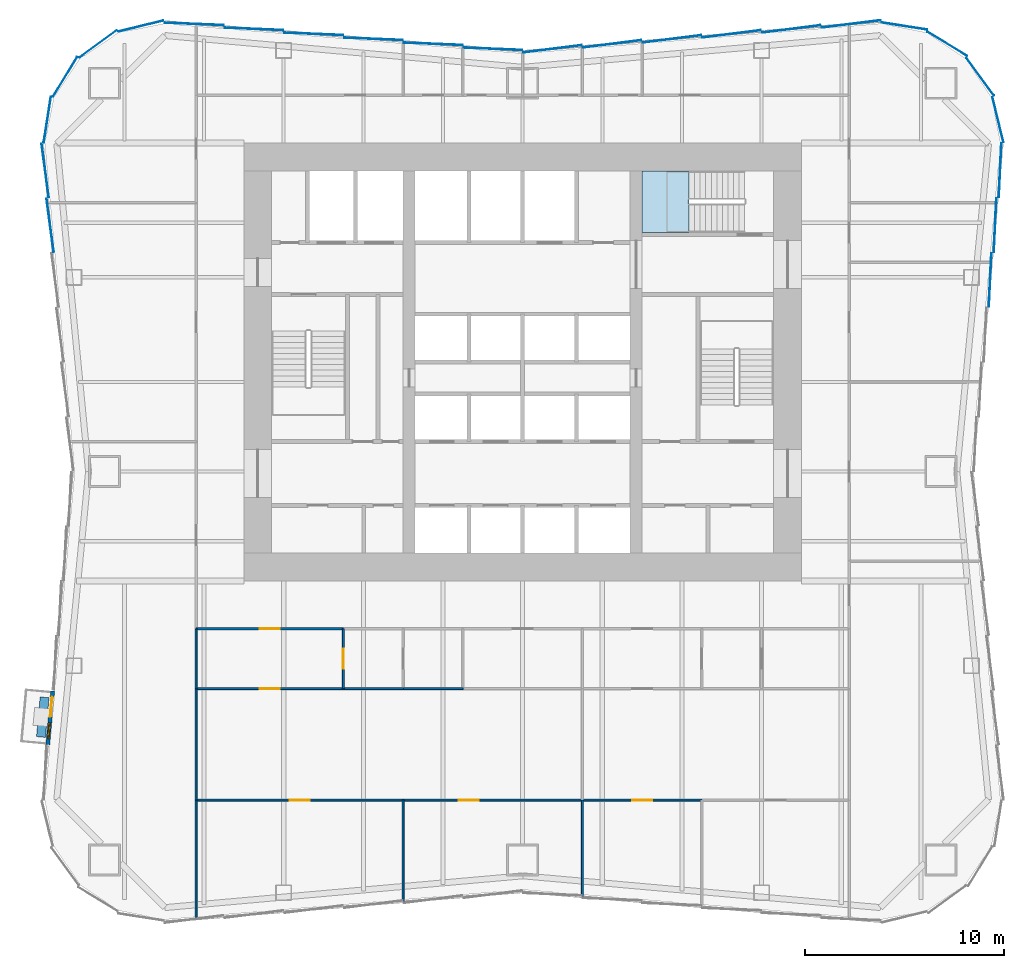
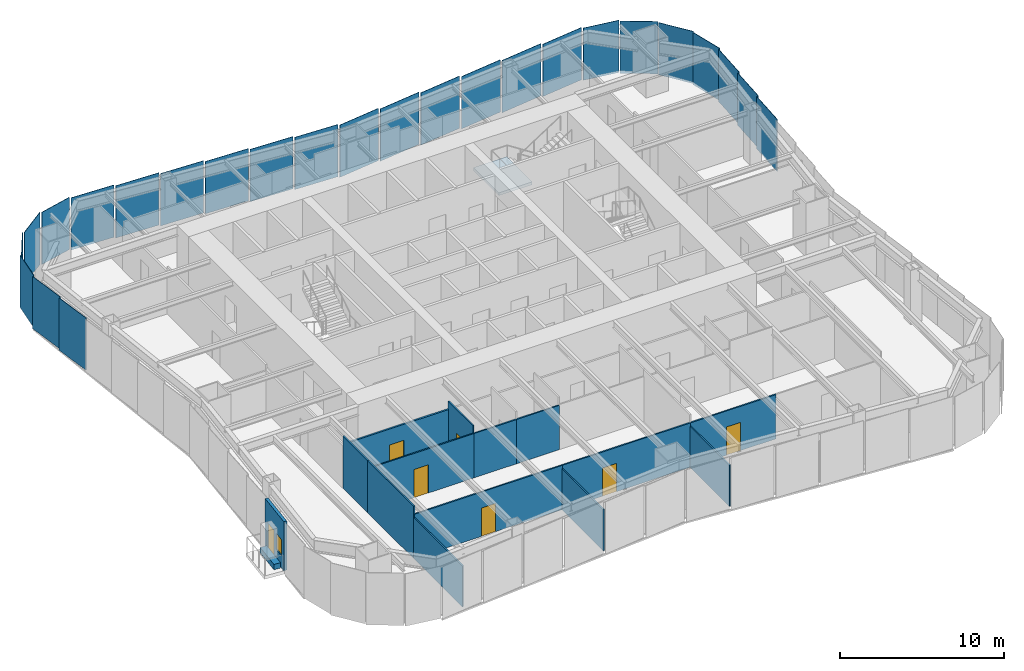
# One storey, part 3 of 9: 25 plates, 15 walls, 7 doors, 1 slab, 1 window, 8 openings, 6 elements without a shape of their own.
"""IFC4 building model written with IfcOpenShell, lengths in metres."""

from ifc_helpers import new_model, si_unit, direction, frame, frame_2d, origin, origin_2d, place, context, subcontext, project, spatial, polyline, rectangle, outline, extrude, material, layer, layer_set, type_object, element, fill, aggregate, save


model = new_model("IFC4")

# Units and contexts
model_context = context("Model", 3, precision=1e-05, world=origin(), true_north=direction((0.0, 1.0)))
body_context = subcontext(model_context, "Body", "Model", "MODEL_VIEW")
ifc_project = project(units=[si_unit("LENGTHUNIT", "METRE"), si_unit("AREAUNIT", "SQUARE_METRE"), si_unit("VOLUMEUNIT", "CUBIC_METRE"), si_unit("PLANEANGLEUNIT", "RADIAN"), si_unit("MASSUNIT", "GRAM", prefix="KILO")], contexts=[model_context])

# Site, building, storey
site_placement = place(None, origin())
site = spatial("IfcSite", under=ifc_project, at=site_placement, CompositionType="ELEMENT")
building_placement = place(site_placement, origin())
building = spatial("IfcBuilding", under=site, at=building_placement, Name="Verdant Reach Tower", CompositionType="ELEMENT")
storey_placement = place(building_placement, frame((0.0, 0.0, 34.0)))
storey = spatial("IfcBuildingStorey", under=building, at=storey_placement, Name="L07", CompositionType="ELEMENT", Elevation=34.0)

# Stair, slab
ifc_material_1 = material(Name="Concrete C40/50", Category="concrete")
stair_type = type_object("IfcStairType", Name="CO-STAIR", PredefinedType="HALF_TURN_STAIR", material=ifc_material_1)
stair_placement = place(storey_placement, origin())
stair = element("IfcStair", 1, at=stair_placement, inside=storey, type_object=stair_type, Name="L07 Exit stair 3", PredefinedType="HALF_TURN_STAIR")
ifc_layer_1 = layer(ifc_material_1, 0.199951171875)
ifc_layer_set_1 = layer_set([ifc_layer_1], Name="CO-STAIR-LANDING")
slab_type = type_object("IfcSlabType", Name="CO-STAIR-LANDING", PredefinedType="LANDING", material=ifc_layer_set_1)
slab_placement = place(storey_placement, frame((0.0, 0.0, 1.800048828125)))
slab = element("IfcSlab", 2, at=slab_placement, type_object=slab_type, Name="ST-3 landing 1", PredefinedType="LANDING", context=body_context, shape_type="SweptSolid", body=[
    extrude(outline(polyline([(8.35009765625, 37.60009765625), (6.0, 37.60009765625), (6.0, 34.5), (8.35009765625, 34.5), (8.35009765625, 37.60009765625)])), origin(), (0.0, 0.0, 1.0), 0.199951171875),
])
aggregate(stair, [slab])

# Curtain wall, plates
ifc_material_2 = material(Name="Anodised aluminium", Category="aluminium")
curtain_wall_type = type_object("IfcCurtainWallType", Name="EN-CW SYSTEM Z0", PredefinedType="NOTDEFINED", material=ifc_material_2)
curtain_wall_1_placement = place(storey_placement, origin())
curtain_wall_1 = element("IfcCurtainWall", 3, at=curtain_wall_1_placement, inside=storey, type_object=curtain_wall_type, Name="Curtain wall north-east corner, L07", PredefinedType="NOTDEFINED")
ifc_material_3 = material(Name="Tinted glass with champagne spandrel", Category="glass")
ifc_layer_2 = layer(ifc_material_3, 0.031982421875)
ifc_layer_set_2 = layer_set([ifc_layer_2], Name="EN-PANEL CHAMPAGNE")
plate_type_1 = type_object("IfcPlateType", Name="EN-PANEL CHAMPAGNE", PredefinedType="CURTAIN_PANEL", material=ifc_layer_set_2)
plate_1_placement = place(storey_placement, frame((23.86767578125, 40.169921875, -0.22998046875), z_axis=(0.0, 0.0, 1.0), x_axis=(-0.236346786246, 0.97166876899, 0.0)))
plate_1 = element("IfcPlate", 4, at=plate_1_placement, type_object=plate_type_1, Name="Glass panel north-east corner 1.1, L07", PredefinedType="CURTAIN_PANEL", context=body_context, shape_type="SweptSolid", body=[
    extrude(rectangle(XDim=2.31884765625, YDim=0.031982421875, at=origin_2d()), origin(), (0.0, 0.0, 1.0), 3.8798828125),
])
plate_2_placement = place(storey_placement, frame((22.974609375, 42.32373046875, -0.22998046875), z_axis=(0.0, 0.0, 1.0), x_axis=(-0.589926778461, 0.807456745624, 0.0)))
plate_2 = element("IfcPlate", 5, at=plate_2_placement, type_object=plate_type_1, Name="Glass panel north-east corner 2.1, L07", PredefinedType="CURTAIN_PANEL", context=body_context, shape_type="SweptSolid", body=[
    extrude(rectangle(XDim=2.32421875, YDim=0.031982421875, at=origin_2d()), origin(), (0.0, 0.0, 1.0), 3.8798828125),
])

curtain_wall_2_placement = place(storey_placement, origin())
curtain_wall_2 = element("IfcCurtainWall", 6, at=curtain_wall_2_placement, inside=storey, type_object=curtain_wall_type, Name="Curtain wall north, L07", PredefinedType="NOTDEFINED")
plate_3_placement = place(storey_placement, frame((1.495849609375, 43.724853515625, -0.22998046875), z_axis=(0.0, 0.0, 1.0), x_axis=(-0.992179679439, -0.124817802047, 0.0)))
plate_3 = element("IfcPlate", 7, at=plate_3_placement, type_object=plate_type_1, Name="Glass panel north face part 1 6.1, L07", PredefinedType="CURTAIN_PANEL", context=body_context, shape_type="SweptSolid", body=[
    extrude(rectangle(XDim=2.946044921875, YDim=0.031982421875, at=origin_2d()), origin(), (0.0, 0.0, 1.0), 3.8798828125),
])
plate_4_placement = place(storey_placement, frame((-1.495849609375, 43.724853515625, -0.22998046875), z_axis=(0.0, 0.0, 1.0), x_axis=(-0.999144450138, 0.041356592674, 0.0)))
plate_4 = element("IfcPlate", 8, at=plate_4_placement, type_object=plate_type_1, Name="Glass panel north face part 2 1.1, L07", PredefinedType="CURTAIN_PANEL", context=body_context, shape_type="SweptSolid", body=[
    extrude(rectangle(XDim=2.946044921875, YDim=0.031982421875, at=origin_2d()), origin(), (0.0, 0.0, 1.0), 3.8798828125),
])
plate_5_placement = place(storey_placement, frame((-4.49169921875, 43.974609375, -0.22998046875), z_axis=(0.0, 0.0, 1.0), x_axis=(-0.999149202059, 0.041241629766, 0.0)))
plate_5 = element("IfcPlate", 9, at=plate_5_placement, type_object=plate_type_1, Name="Glass panel north face part 2 2.1, L07", PredefinedType="CURTAIN_PANEL", context=body_context, shape_type="SweptSolid", body=[
    extrude(rectangle(XDim=2.954345703125, YDim=0.031982421875, at=origin_2d()), origin(), (0.0, 0.0, 1.0), 3.8798828125),
])

curtain_wall_3_placement = place(storey_placement, origin())
curtain_wall_3 = element("IfcCurtainWall", 10, at=curtain_wall_3_placement, inside=storey, type_object=curtain_wall_type, Name="Curtain wall east, L07", PredefinedType="NOTDEFINED")
ifc_material_4 = material(Name="Tinted glass with copper spandrel", Category="glass")
ifc_layer_3 = layer(ifc_material_4, 0.031982421875)
ifc_layer_set_3 = layer_set([ifc_layer_3], Name="EN-PANEL COPPER")
plate_type_2 = type_object("IfcPlateType", Name="EN-PANEL COPPER", PredefinedType="CURTAIN_PANEL", material=ifc_layer_set_3)
plate_6_placement = place(storey_placement, frame((23.474609375, 32.115966796875, -0.22998046875), z_axis=(0.0, 0.0, 1.0), x_axis=(0.04875265175, 0.998810882473, 0.0)))
plate_6 = element("IfcPlate", 11, at=plate_6_placement, type_object=plate_type_2, Name="Glass panel east face part 2 4.1, L07", PredefinedType="CURTAIN_PANEL", context=body_context, shape_type="SweptSolid", body=[
    extrude(rectangle(XDim=2.705322265625, YDim=0.031982421875, at=origin_2d()), origin(), (0.0, 0.0, 1.0), 3.8798828125),
])
plate_7_placement = place(storey_placement, frame((23.724609375, 34.865966796875, -0.22998046875), z_axis=(0.0, 0.0, 1.0), x_axis=(0.04875265175, 0.998810882473, 0.0)))
plate_7 = element("IfcPlate", 12, at=plate_7_placement, type_object=plate_type_2, Name="Glass panel east face part 2 5.1, L07", PredefinedType="CURTAIN_PANEL", context=body_context, shape_type="SweptSolid", body=[
    extrude(rectangle(XDim=2.705322265625, YDim=0.031982421875, at=origin_2d()), origin(), (0.0, 0.0, 1.0), 3.8798828125),
])
plate_8_placement = place(storey_placement, frame((23.974609375, 37.623046875, -0.22998046875), z_axis=(0.0, 0.0, 1.0), x_axis=(0.048382779248, 0.998828867561, 0.0)))
plate_8 = element("IfcPlate", 13, at=plate_8_placement, type_object=plate_type_2, Name="Glass panel east face part 2 6.1, L07", PredefinedType="CURTAIN_PANEL", context=body_context, shape_type="SweptSolid", body=[
    extrude(rectangle(XDim=2.7197265625, YDim=0.031982421875, at=origin_2d()), origin(), (0.0, 0.0, 1.0), 3.8798828125),
])
aggregate(curtain_wall_3, [plate_6, plate_7, plate_8])

# Plate
plate_9_placement = place(storey_placement, frame((21.32373046875, 43.974609375, -0.22998046875), z_axis=(0.0, 0.0, 1.0), x_axis=(-0.853988681713, 0.520291583159, 0.0)))
plate_9 = element("IfcPlate", 14, at=plate_9_placement, type_object=plate_type_2, Name="Glass panel north-east corner 3.1, L07", PredefinedType="CURTAIN_PANEL", context=body_context, shape_type="SweptSolid", body=[
    extrude(rectangle(XDim=2.32421875, YDim=0.031982421875, at=origin_2d()), origin(), (0.0, 0.0, 1.0), 3.8798828125),
])

plate_10_placement = place(storey_placement, frame((19.169921875, 44.86767578125, -0.22998046875), z_axis=(0.0, 0.0, 1.0), x_axis=(-0.98803452381, 0.154232875093, 0.0)))
plate_10 = element("IfcPlate", 15, at=plate_10_placement, type_object=plate_type_2, Name="Glass panel north-east corner 4.1, L07", PredefinedType="CURTAIN_PANEL", context=body_context, shape_type="SweptSolid", body=[
    extrude(rectangle(XDim=2.318603515625, YDim=0.031982421875, at=origin_2d()), origin(), (0.0, 0.0, 1.0), 3.8798828125),
])

aggregate(curtain_wall_1, [plate_1, plate_2, plate_9, plate_10])

plate_11_placement = place(storey_placement, frame((16.498779296875, 44.974853515625, -0.22998046875), z_axis=(0.0, 0.0, 1.0), x_axis=(-0.992234176789, -0.124383835008, 0.0)))
plate_11 = element("IfcPlate", 16, at=plate_11_placement, type_object=plate_type_2, Name="Glass panel north face part 1 1.1, L07", PredefinedType="CURTAIN_PANEL", context=body_context, shape_type="SweptSolid", body=[
    extrude(rectangle(XDim=2.96826171875, YDim=0.031982421875, at=origin_2d()), origin(), (0.0, 0.0, 1.0), 3.8798828125),
])

plate_12_placement = place(storey_placement, frame((13.49169921875, 44.724609375, -0.22998046875), z_axis=(0.0, 0.0, 1.0), x_axis=(-0.992194034542, -0.124703639961, 0.0)))
plate_12 = element("IfcPlate", 17, at=plate_12_placement, type_object=plate_type_2, Name="Glass panel north face part 1 2.1, L07", PredefinedType="CURTAIN_PANEL", context=body_context, shape_type="SweptSolid", body=[
    extrude(rectangle(XDim=2.954345703125, YDim=0.031982421875, at=origin_2d()), origin(), (0.0, 0.0, 1.0), 3.8798828125),
])

plate_13_placement = place(storey_placement, frame((10.49169921875, 44.474609375, -0.22998046875), z_axis=(0.0, 0.0, 1.0), x_axis=(-0.992194034542, -0.124703639961, 0.0)))
plate_13 = element("IfcPlate", 18, at=plate_13_placement, type_object=plate_type_2, Name="Glass panel north face part 1 3.1, L07", PredefinedType="CURTAIN_PANEL", context=body_context, shape_type="SweptSolid", body=[
    extrude(rectangle(XDim=2.954345703125, YDim=0.031982421875, at=origin_2d()), origin(), (0.0, 0.0, 1.0), 3.8798828125),
])

plate_14_placement = place(storey_placement, frame((-7.49169921875, 44.224609375, -0.22998046875), z_axis=(0.0, 0.0, 1.0), x_axis=(-0.999149202059, 0.041241629766, 0.0)))
plate_14 = element("IfcPlate", 19, at=plate_14_placement, type_object=plate_type_2, Name="Glass panel north face part 2 3.1, L07", PredefinedType="CURTAIN_PANEL", context=body_context, shape_type="SweptSolid", body=[
    extrude(rectangle(XDim=2.954345703125, YDim=0.031982421875, at=origin_2d()), origin(), (0.0, 0.0, 1.0), 3.8798828125),
])

plate_15_placement = place(storey_placement, frame((-10.49169921875, 44.474609375, -0.22998046875), z_axis=(0.0, 0.0, 1.0), x_axis=(-0.999149202059, 0.041241629766, 0.0)))
plate_15 = element("IfcPlate", 20, at=plate_15_placement, type_object=plate_type_2, Name="Glass panel north face part 2 4.1, L07", PredefinedType="CURTAIN_PANEL", context=body_context, shape_type="SweptSolid", body=[
    extrude(rectangle(XDim=2.954345703125, YDim=0.031982421875, at=origin_2d()), origin(), (0.0, 0.0, 1.0), 3.8798828125),
])

# Curtain wall, plates
curtain_wall_4_placement = place(storey_placement, origin())
curtain_wall_4 = element("IfcCurtainWall", 21, at=curtain_wall_4_placement, inside=storey, type_object=curtain_wall_type, Name="Curtain wall north-west corner, L07", PredefinedType="NOTDEFINED")
plate_16_placement = place(storey_placement, frame((-19.169921875, 44.86767578125, -0.22998046875), z_axis=(0.0, 0.0, 1.0), x_axis=(-0.97166347331, -0.236368556782, 0.0)))
plate_16 = element("IfcPlate", 22, at=plate_16_placement, type_object=plate_type_2, Name="Glass panel north-west corner 1.1, L07", PredefinedType="CURTAIN_PANEL", context=body_context, shape_type="SweptSolid", body=[
    extrude(rectangle(XDim=2.318603515625, YDim=0.031982421875, at=origin_2d()), origin(), (0.0, 0.0, 1.0), 3.8798828125),
])
plate_17_placement = place(storey_placement, frame((-21.32373046875, 43.974609375, -0.22998046875), z_axis=(0.0, 0.0, 1.0), x_axis=(-0.807456745624, -0.589926778461, 0.0)))
plate_17 = element("IfcPlate", 23, at=plate_17_placement, type_object=plate_type_2, Name="Glass panel north-west corner 2.1, L07", PredefinedType="CURTAIN_PANEL", context=body_context, shape_type="SweptSolid", body=[
    extrude(rectangle(XDim=2.32421875, YDim=0.031982421875, at=origin_2d()), origin(), (0.0, 0.0, 1.0), 3.8798828125),
])
plate_18_placement = place(storey_placement, frame((-22.974609375, 42.32373046875, -0.22998046875), z_axis=(0.0, 0.0, 1.0), x_axis=(-0.520291583159, -0.853988681713, 0.0)))
plate_18 = element("IfcPlate", 24, at=plate_18_placement, type_object=plate_type_2, Name="Glass panel north-west corner 3.1, L07", PredefinedType="CURTAIN_PANEL", context=body_context, shape_type="SweptSolid", body=[
    extrude(rectangle(XDim=2.32421875, YDim=0.031982421875, at=origin_2d()), origin(), (0.0, 0.0, 1.0), 3.8798828125),
])

# Curtain wall, plate
curtain_wall_5_placement = place(storey_placement, origin())
curtain_wall_5 = element("IfcCurtainWall", 25, at=curtain_wall_5_placement, inside=storey, type_object=curtain_wall_type, Name="Curtain wall west, L07", PredefinedType="NOTDEFINED")
plate_19_placement = place(storey_placement, frame((-23.974609375, 37.623046875, -0.22998046875), z_axis=(0.0, 0.0, 1.0), x_axis=(0.131792939527, -0.991277267514, 0.0)))
plate_19 = element("IfcPlate", 26, at=plate_19_placement, type_object=plate_type_2, Name="Glass panel west face part 1 1.1, L07", PredefinedType="CURTAIN_PANEL", context=body_context, shape_type="SweptSolid", body=[
    extrude(rectangle(XDim=2.7197265625, YDim=0.031982421875, at=origin_2d()), origin(), (0.0, 0.0, 1.0), 3.8798828125),
])

# Plate
ifc_material_5 = material(Name="Tinted glass with dark bronze spandrel", Category="glass")
ifc_layer_4 = layer(ifc_material_5, 0.031982421875)
ifc_layer_set_4 = layer_set([ifc_layer_4], Name="EN-PANEL DARK")
plate_type_3 = type_object("IfcPlateType", Name="EN-PANEL DARK", PredefinedType="CURTAIN_PANEL", material=ifc_layer_set_4)
plate_20_placement = place(storey_placement, frame((7.49169921875, 44.224609375, -0.22998046875), z_axis=(0.0, 0.0, 1.0), x_axis=(-0.992194034542, -0.124703639961, 0.0)))
plate_20 = element("IfcPlate", 27, at=plate_20_placement, type_object=plate_type_3, Name="Glass panel north face part 1 4.1, L07", PredefinedType="CURTAIN_PANEL", context=body_context, shape_type="SweptSolid", body=[
    extrude(rectangle(XDim=2.954345703125, YDim=0.031982421875, at=origin_2d()), origin(), (0.0, 0.0, 1.0), 3.8798828125),
])

plate_21_placement = place(storey_placement, frame((4.49169921875, 43.974609375, -0.22998046875), z_axis=(0.0, 0.0, 1.0), x_axis=(-0.992194034542, -0.124703639961, 0.0)))
plate_21 = element("IfcPlate", 28, at=plate_21_placement, type_object=plate_type_3, Name="Glass panel north face part 1 5.1, L07", PredefinedType="CURTAIN_PANEL", context=body_context, shape_type="SweptSolid", body=[
    extrude(rectangle(XDim=2.954345703125, YDim=0.031982421875, at=origin_2d()), origin(), (0.0, 0.0, 1.0), 3.8798828125),
])

plate_22_placement = place(storey_placement, frame((-13.49169921875, 44.724609375, -0.22998046875), z_axis=(0.0, 0.0, 1.0), x_axis=(-0.999149202059, 0.041241629766, 0.0)))
plate_22 = element("IfcPlate", 29, at=plate_22_placement, type_object=plate_type_3, Name="Glass panel north face part 2 5.1, L07", PredefinedType="CURTAIN_PANEL", context=body_context, shape_type="SweptSolid", body=[
    extrude(rectangle(XDim=2.954345703125, YDim=0.031982421875, at=origin_2d()), origin(), (0.0, 0.0, 1.0), 3.8798828125),
])

plate_23_placement = place(storey_placement, frame((-16.498779296875, 44.974853515625, -0.22998046875), z_axis=(0.0, 0.0, 1.0), x_axis=(-0.999162442933, 0.040919587398, 0.0)))
plate_23 = element("IfcPlate", 30, at=plate_23_placement, type_object=plate_type_3, Name="Glass panel north face part 2 6.1, L07", PredefinedType="CURTAIN_PANEL", context=body_context, shape_type="SweptSolid", body=[
    extrude(rectangle(XDim=2.96826171875, YDim=0.031982421875, at=origin_2d()), origin(), (0.0, 0.0, 1.0), 3.8798828125),
])

aggregate(curtain_wall_2, [plate_11, plate_12, plate_13, plate_20, plate_21, plate_3, plate_4, plate_5, plate_14, plate_15, plate_22, plate_23])

plate_24_placement = place(storey_placement, frame((-23.86767578125, 40.169921875, -0.22998046875), z_axis=(0.0, 0.0, 1.0), x_axis=(-0.154210737778, -0.988037979206, 0.0)))
plate_24 = element("IfcPlate", 31, at=plate_24_placement, type_object=plate_type_3, Name="Glass panel north-west corner 4.1, L07", PredefinedType="CURTAIN_PANEL", context=body_context, shape_type="SweptSolid", body=[
    extrude(rectangle(XDim=2.31884765625, YDim=0.031982421875, at=origin_2d()), origin(), (0.0, 0.0, 1.0), 3.8798828125),
])

aggregate(curtain_wall_4, [plate_16, plate_17, plate_18, plate_24])

plate_25_placement = place(storey_placement, frame((-23.724609375, 34.865966796875, -0.22998046875), z_axis=(0.0, 0.0, 1.0), x_axis=(0.132160009881, -0.99122839537, 0.0)))
plate_25 = element("IfcPlate", 32, at=plate_25_placement, type_object=plate_type_3, Name="Glass panel west face part 1 2.1, L07", PredefinedType="CURTAIN_PANEL", context=body_context, shape_type="SweptSolid", body=[
    extrude(rectangle(XDim=2.705322265625, YDim=0.031982421875, at=origin_2d()), origin(), (0.0, 0.0, 1.0), 3.8798828125),
])

aggregate(curtain_wall_5, [plate_19, plate_25])

# Wall, openings, door, window
ifc_material_6 = material(Name="Insulated bronze aluminium panel wall", Category="aluminium")
ifc_layer_5 = layer(ifc_material_6, 0.219970703125)
ifc_layer_set_5 = layer_set([ifc_layer_5], Name="EN-INFILL WALL")
wall_type_1 = type_object("IfcWallType", Name="EN-INFILL WALL", PredefinedType="SOLIDWALL", material=ifc_layer_set_5)
wall_1_placement = place(storey_placement, frame((-23.602294921875, 11.479248046875, 0.0), z_axis=(0.0, 0.0, 1.0), x_axis=(-0.090552042494, -0.995891724838, 0.0)))
wall_1 = element("IfcWall", 33, at=wall_1_placement, inside=storey, type_object=wall_type_1, Name="External infill wall, balcony bay 1, L07", PredefinedType="SOLIDWALL", context=body_context, shape_type="SweptSolid", body=[
    extrude(rectangle(XDim=2.701416015625, YDim=0.199951171875, at=frame_2d((1.3505859375, 0.0))), origin(), (0.0, 0.0, 1.0), 3.64990234375),
])
opening_1_placement = place(wall_1_placement, frame((0.30029296875, 0.0, 0.0)))
opening_1 = element("IfcOpeningElement", 34, at=opening_1_placement, cuts=wall_1, Name="Opening BD1", PredefinedType="OPENING", context=body_context, shape_type="SweptSolid", body=[
    extrude(rectangle(XDim=1.0, YDim=2.10009765625, at=frame_2d((0.5, 1.050048828125))), frame((0.0, 0.10986328125, 0.0), z_axis=(0.0, -1.0, 0.0), x_axis=(1.0, 0.0, 0.0)), (0.0, 0.0, 1.0), 0.219970703125),
])
opening_2_placement = place(wall_1_placement, frame((1.600830078125, 0.0, 0.89990234375)))
opening_2 = element("IfcOpeningElement", 35, at=opening_2_placement, cuts=wall_1, Name="Opening BW1", PredefinedType="OPENING", context=body_context, shape_type="SweptSolid", body=[
    extrude(rectangle(XDim=0.800048828125, YDim=1.199951171875, at=frame_2d((0.39990234375, 0.60009765625))), frame((0.0, 0.10986328125, 0.0), z_axis=(0.0, -1.0, 0.0), x_axis=(1.0, 0.0, 0.0)), (0.0, 0.0, 1.0), 0.219970703125),
])
ifc_material_7 = material(Name="Aluminium framed glazed door", Category="aluminium")
door_type_1 = type_object("IfcDoorType", Name="EN-DOOR BALCONY", OperationType="NOTDEFINED", PredefinedType="DOOR", material=ifc_material_7)
door_1_placement = place(opening_1_placement, origin())
door_1 = element("IfcDoor", 36, at=door_1_placement, inside=storey, type_object=door_type_1, Name="Balcony door 1, L07", OperationType="SINGLE_SWING_LEFT", OverallHeight=2.10009765625, OverallWidth=1.0, PredefinedType="DOOR", context=body_context, shape_type="SweptSolid", body=[
    extrude(rectangle(XDim=1.0, YDim=2.10009765625, at=frame_2d((0.5, 1.050048828125))), frame((0.0, 0.02490234375, 0.0), z_axis=(0.0, -1.0, 0.0), x_axis=(1.0, 0.0, 0.0)), (0.0, 0.0, 1.0), 0.050048828125),
])
fill(opening_1, door_1)
ifc_material_8 = material(Name="Aluminium framed glazing", Category="aluminium")
window_type = type_object("IfcWindowType", Name="EN-WINDOW BALCONY", PartitioningType="SINGLE_PANEL", PredefinedType="WINDOW", material=ifc_material_8)
window_placement = place(opening_2_placement, origin())
window = element("IfcWindow", 37, at=window_placement, inside=storey, type_object=window_type, Name="Balcony window 1, L07", OverallHeight=1.199951171875, OverallWidth=0.800048828125, PartitioningType="SINGLE_PANEL", PredefinedType="WINDOW", context=body_context, shape_type="SweptSolid", body=[
    extrude(rectangle(XDim=0.800048828125, YDim=1.199951171875, at=frame_2d((0.39990234375, 0.60009765625))), frame((0.0, 0.030029296875, 0.0), z_axis=(0.0, -1.0, 0.0), x_axis=(1.0, 0.0, 0.0)), (0.0, 0.0, 1.0), 0.06005859375),
])
fill(opening_2, window)

# Wall
ifc_material_9 = material(Name="Precast concrete C30/37", Category="concrete")
ifc_layer_6 = layer(ifc_material_9, 0.449951171875)
ifc_layer_set_6 = layer_set([ifc_layer_6], Name="EN-PLANTER")
wall_type_2 = type_object("IfcWallType", Name="EN-PLANTER", PredefinedType="USERDEFINED", material=ifc_layer_set_6)
wall_2_placement = place(storey_placement, frame((-24.007568359375, 11.16455078125, 0.0), z_axis=(0.0, 0.0, 1.0), x_axis=(-0.090513748512, -0.995895205998, 0.0)))
element("IfcWall", 38, at=wall_2_placement, inside=storey, type_object=wall_type_2, Name="Balcony planter 1, L07", ObjectType="PLANTER", PredefinedType="USERDEFINED", context=body_context, shape_type="SweptSolid", body=[
    extrude(rectangle(XDim=2.00146484375, YDim=0.449951171875, at=frame_2d((1.000732421875, 0.0))), origin(), (0.0, 0.0, 1.0), 0.39990234375),
])

# Wall, opening, door
ifc_material_10 = material(Name="Gypsum board on steel studs", Category="steel")
ifc_layer_7 = layer(ifc_material_10, 0.10009765625)
ifc_layer_set_7 = layer_set([ifc_layer_7], Name="FL-W1 Partition 100")
wall_type_3 = type_object("IfcWallType", Name="FL-W1 Partition 100", PredefinedType="PARTITIONING", material=ifc_layer_set_7)
wall_3_placement = place(storey_placement, frame((-9.0, 14.60009765625, 0.0), z_axis=(0.0, 0.0, 1.0), x_axis=(0.0, -1.0, 0.0)))
wall_3 = element("IfcWall", 39, at=wall_3_placement, inside=storey, type_object=wall_type_3, Name="Partition 07.22", PredefinedType="PARTITIONING", context=body_context, shape_type="SweptSolid", body=[
    extrude(rectangle(XDim=3.0, YDim=0.10009765625, at=frame_2d((1.5, 0.0))), origin(), (0.0, 0.0, 1.0), 3.8701171875),
])
opening_3_placement = place(wall_3_placement, frame((1.0, 0.0, 0.0)))
opening_3 = element("IfcOpeningElement", 40, at=opening_3_placement, cuts=wall_3, Name="Opening D3", PredefinedType="OPENING", context=body_context, shape_type="SweptSolid", body=[
    extrude(rectangle(XDim=1.0, YDim=2.10009765625, at=frame_2d((0.5, 1.050048828125))), frame((0.0, 0.06005859375, 0.0), z_axis=(0.0, -1.0, 0.0), x_axis=(1.0, 0.0, 0.0)), (0.0, 0.0, 1.0), 0.1201171875),
])
ifc_material_11 = material(Name="Painted timber door leaf", Category="wood")
door_type_2 = type_object("IfcDoorType", Name="FL-D3 Door 1000x2100", OperationType="NOTDEFINED", PredefinedType="DOOR", material=ifc_material_11)
door_2_placement = place(opening_3_placement, origin())
door_2 = element("IfcDoor", 41, at=door_2_placement, inside=storey, type_object=door_type_2, Name="Door 07-018", OperationType="SINGLE_SWING_RIGHT", OverallHeight=2.10009765625, OverallWidth=1.0, PredefinedType="DOOR", context=body_context, shape_type="SweptSolid", body=[
    extrude(rectangle(XDim=1.0, YDim=2.10009765625, at=frame_2d((0.5, 1.050048828125))), frame((0.0, 0.02490234375, 0.0), z_axis=(0.0, -1.0, 0.0), x_axis=(1.0, 0.0, 0.0)), (0.0, 0.0, 1.0), 0.050048828125),
])
fill(opening_3, door_2)

wall_4_placement = place(storey_placement, frame((-8.99609375, 11.60009765625, 0.0), z_axis=(0.0, 0.0, 1.0), x_axis=(-1.0, 0.0, 0.0)))
wall_4 = element("IfcWall", 42, at=wall_4_placement, inside=storey, type_object=wall_type_3, Name="Partition 07.23", PredefinedType="PARTITIONING", context=body_context, shape_type="SweptSolid", body=[
    extrude(rectangle(XDim=7.40380859375, YDim=0.10009765625, at=frame_2d((3.701904296875, 0.0))), origin(), (0.0, 0.0, 1.0), 3.2900390625),
])
opening_4_placement = place(wall_4_placement, frame((3.201904296875, 0.0, 0.0)))
opening_4 = element("IfcOpeningElement", 43, at=opening_4_placement, cuts=wall_4, Name="Opening D3", PredefinedType="OPENING", context=body_context, shape_type="SweptSolid", body=[
    extrude(rectangle(XDim=1.0, YDim=2.10009765625, at=frame_2d((0.5, 1.050048828125))), frame((0.0, 0.06005859375, 0.0), z_axis=(0.0, -1.0, 0.0), x_axis=(1.0, 0.0, 0.0)), (0.0, 0.0, 1.0), 0.1201171875),
])
door_3_placement = place(opening_4_placement, origin())
door_3 = element("IfcDoor", 44, at=door_3_placement, inside=storey, type_object=door_type_2, Name="Door 07-019", OperationType="SINGLE_SWING_LEFT", OverallHeight=2.10009765625, OverallWidth=1.0, PredefinedType="DOOR", context=body_context, shape_type="SweptSolid", body=[
    extrude(rectangle(XDim=1.0, YDim=2.10009765625, at=frame_2d((0.5, 1.050048828125))), frame((0.0, 0.02490234375, 0.0), z_axis=(0.0, -1.0, 0.0), x_axis=(1.0, 0.0, 0.0)), (0.0, 0.0, 1.0), 0.050048828125),
])
fill(opening_4, door_3)

# Walls
wall_5_placement = place(storey_placement, frame((-16.39990234375, 14.60400390625, 0.0), z_axis=(0.0, 0.0, 1.0), x_axis=(0.0, -1.0, 0.0)))
element("IfcWall", 45, at=wall_5_placement, inside=storey, type_object=wall_type_3, Name="Partition 07.24", PredefinedType="PARTITIONING", context=body_context, shape_type="SweptSolid", body=[
    extrude(rectangle(XDim=3.008056640625, YDim=0.10009765625, at=frame_2d((1.50390625, 0.0))), origin(), (0.0, 0.0, 1.0), 3.8701171875),
])
for number, where, z_axis, x_axis, name in (
    (46, (-9.00390625, 11.60009765625, 0.0), (0.0, 0.0, 1.0), (1.0, 0.0, 0.0), "Partition 07.26"),
    (47, (-6.00390625, 11.60009765625, 0.0), (0.0, 0.0, 1.0), (1.0, 0.0, 0.0), "Partition 07.28"),
):
    element("IfcWall", number, at=place(storey_placement, frame(where, z_axis=z_axis, x_axis=x_axis)), inside=storey, type_object=wall_type_3, Name=name, PredefinedType="PARTITIONING", context=body_context, shape_type="SweptSolid", body=[
        extrude(rectangle(XDim=3.0078125, YDim=0.10009765625, at=frame_2d((1.50390625, 0.0))), origin(), (0.0, 0.0, 1.0), 3.2900390625),
    ])

# Wall, opening, door
wall_6_placement = place(storey_placement, frame((-6.0, 6.0, 0.0), z_axis=(0.0, 0.0, 1.0), x_axis=(-1.0, 0.0, 0.0)))
wall_6 = element("IfcWall", 48, at=wall_6_placement, inside=storey, type_object=wall_type_3, Name="Partition 07.31", PredefinedType="PARTITIONING", context=body_context, shape_type="SweptSolid", body=[
    extrude(rectangle(XDim=10.39990234375, YDim=0.10009765625, at=frame_2d((5.199951171875, 0.0))), origin(), (0.0, 0.0, 1.0), 3.2900390625),
])
opening_5_placement = place(wall_6_placement, frame((4.699951171875, 0.0, 0.0)))
opening_5 = element("IfcOpeningElement", 49, at=opening_5_placement, cuts=wall_6, Name="Opening D3", PredefinedType="OPENING", context=body_context, shape_type="SweptSolid", body=[
    extrude(rectangle(XDim=1.0, YDim=2.10009765625, at=frame_2d((0.5, 1.050048828125))), frame((0.0, 0.06005859375, 0.0), z_axis=(0.0, -1.0, 0.0), x_axis=(1.0, 0.0, 0.0)), (0.0, 0.0, 1.0), 0.1201171875),
])
door_4_placement = place(opening_5_placement, origin())
door_4 = element("IfcDoor", 50, at=door_4_placement, inside=storey, type_object=door_type_2, Name="Door 07-021", OperationType="SINGLE_SWING_LEFT", OverallHeight=2.10009765625, OverallWidth=1.0, PredefinedType="DOOR", context=body_context, shape_type="SweptSolid", body=[
    extrude(rectangle(XDim=1.0, YDim=2.10009765625, at=frame_2d((0.5, 1.050048828125))), frame((0.0, 0.02490234375, 0.0), z_axis=(0.0, -1.0, 0.0), x_axis=(1.0, 0.0, 0.0)), (0.0, 0.0, 1.0), 0.050048828125),
])
fill(opening_5, door_4)

wall_7_placement = place(storey_placement, frame((3.0, 6.0, 0.0), z_axis=(0.0, 0.0, 1.0), x_axis=(-1.0, 0.0, 0.0)))
wall_7 = element("IfcWall", 51, at=wall_7_placement, inside=storey, type_object=wall_type_3, Name="Partition 07.32", PredefinedType="PARTITIONING", context=body_context, shape_type="SweptSolid", body=[
    extrude(rectangle(XDim=9.0, YDim=0.10009765625, at=frame_2d((4.5, 0.0))), origin(), (0.0, 0.0, 1.0), 3.2900390625),
])
opening_6_placement = place(wall_7_placement, frame((5.199951171875, 0.0, 0.0)))
opening_6 = element("IfcOpeningElement", 52, at=opening_6_placement, cuts=wall_7, Name="Opening D3", PredefinedType="OPENING", context=body_context, shape_type="SweptSolid", body=[
    extrude(rectangle(XDim=1.0, YDim=2.10009765625, at=frame_2d((0.5, 1.050048828125))), frame((0.0, 0.06005859375, 0.0), z_axis=(0.0, -1.0, 0.0), x_axis=(1.0, 0.0, 0.0)), (0.0, 0.0, 1.0), 0.1201171875),
])
door_5_placement = place(opening_6_placement, origin())
door_5 = element("IfcDoor", 53, at=door_5_placement, inside=storey, type_object=door_type_2, Name="Door 07-022", OperationType="SINGLE_SWING_RIGHT", OverallHeight=2.10009765625, OverallWidth=1.0, PredefinedType="DOOR", context=body_context, shape_type="SweptSolid", body=[
    extrude(rectangle(XDim=1.0, YDim=2.10009765625, at=frame_2d((0.5, 1.050048828125))), frame((0.0, 0.02490234375, 0.0), z_axis=(0.0, -1.0, 0.0), x_axis=(1.0, 0.0, 0.0)), (0.0, 0.0, 1.0), 0.050048828125),
])
fill(opening_6, door_5)

# Walls
wall_8_placement = place(storey_placement, frame((-16.39990234375, 11.60400390625, 0.0), z_axis=(0.0, 0.0, 1.0), x_axis=(0.0, -1.0, 0.0)))
element("IfcWall", 54, at=wall_8_placement, inside=storey, type_object=wall_type_3, Name="Partition 07.34", PredefinedType="PARTITIONING", context=body_context, shape_type="SweptSolid", body=[
    extrude(rectangle(XDim=5.60791015625, YDim=0.10009765625, at=frame_2d((2.803955078125, 0.0))), origin(), (0.0, 0.0, 1.0), 3.8701171875),
])
wall_9_placement = place(storey_placement, frame((-6.0, 0.919921875, 0.0), z_axis=(0.0, 0.0, 1.0), x_axis=(0.0, 1.0, 0.0)))
element("IfcWall", 55, at=wall_9_placement, inside=storey, type_object=wall_type_3, Name="Partition 07.35", PredefinedType="PARTITIONING", context=body_context, shape_type="SweptSolid", body=[
    extrude(rectangle(XDim=5.080078125, YDim=0.10009765625, at=frame_2d((2.5400390625, 0.0))), origin(), (0.0, 0.0, 1.0), 3.0400390625),
])
wall_10_placement = place(storey_placement, frame((-16.39990234375, 6.00390625, 0.0), z_axis=(0.0, 0.0, 1.0), x_axis=(0.0, -1.0, 0.0)))
element("IfcWall", 56, at=wall_10_placement, inside=storey, type_object=wall_type_3, Name="Partition 07.36", PredefinedType="PARTITIONING", context=body_context, shape_type="SweptSolid", body=[
    extrude(rectangle(XDim=5.95068359375, YDim=0.10009765625, at=frame_2d((2.975341796875, 0.0))), origin(), (0.0, 0.0, 1.0), 3.0400390625),
])
wall_11_placement = place(storey_placement, frame((3.0, 1.169921875, 0.0), z_axis=(0.0, 0.0, 1.0), x_axis=(0.0, 1.0, 0.0)))
element("IfcWall", 57, at=wall_11_placement, inside=storey, type_object=wall_type_3, Name="Partition 07.37", PredefinedType="PARTITIONING", context=body_context, shape_type="SweptSolid", body=[
    extrude(rectangle(XDim=4.830078125, YDim=0.10009765625, at=frame_2d((2.4150390625, 0.0))), origin(), (0.0, 0.0, 1.0), 3.0400390625),
])

# Wall, opening, door
wall_12_placement = place(storey_placement, frame((9.0, 6.0, 0.0), z_axis=(0.0, 0.0, 1.0), x_axis=(-1.0, 0.0, 0.0)))
wall_12 = element("IfcWall", 58, at=wall_12_placement, inside=storey, type_object=wall_type_3, Name="Partition 07.44", PredefinedType="PARTITIONING", context=body_context, shape_type="SweptSolid", body=[
    extrude(rectangle(XDim=6.0, YDim=0.10009765625, at=frame_2d((3.0, 0.0))), origin(), (0.0, 0.0, 1.0), 3.2900390625),
])
opening_7_placement = place(wall_12_placement, frame((2.5, 0.0, 0.0)))
opening_7 = element("IfcOpeningElement", 59, at=opening_7_placement, cuts=wall_12, Name="Opening D3", PredefinedType="OPENING", context=body_context, shape_type="SweptSolid", body=[
    extrude(rectangle(XDim=1.0, YDim=2.10009765625, at=frame_2d((0.5, 1.050048828125))), frame((0.0, 0.06005859375, 0.0), z_axis=(0.0, -1.0, 0.0), x_axis=(1.0, 0.0, 0.0)), (0.0, 0.0, 1.0), 0.1201171875),
])
door_6_placement = place(opening_7_placement, origin())
door_6 = element("IfcDoor", 60, at=door_6_placement, inside=storey, type_object=door_type_2, Name="Door 07-026", OperationType="SINGLE_SWING_RIGHT", OverallHeight=2.10009765625, OverallWidth=1.0, PredefinedType="DOOR", context=body_context, shape_type="SweptSolid", body=[
    extrude(rectangle(XDim=1.0, YDim=2.10009765625, at=frame_2d((0.5, 1.050048828125))), frame((0.0, 0.02490234375, 0.0), z_axis=(0.0, -1.0, 0.0), x_axis=(1.0, 0.0, 0.0)), (0.0, 0.0, 1.0), 0.050048828125),
])
fill(opening_7, door_6)

ifc_material_12 = material(Name="Gypsum board on steel studs, fire rated", Category="steel")
ifc_layer_8 = layer(ifc_material_12, 0.125)
ifc_layer_set_8 = layer_set([ifc_layer_8], Name="FL-W2 Corridor wall 125")
wall_type_4 = type_object("IfcWallType", Name="FL-W2 Corridor wall 125", PredefinedType="PARTITIONING", material=ifc_layer_set_8)
wall_13_placement = place(storey_placement, frame((-9.0, 14.60009765625, 0.0), z_axis=(0.0, 0.0, 1.0), x_axis=(-1.0, 0.0, 0.0)))
wall_13 = element("IfcWall", 61, at=wall_13_placement, inside=storey, type_object=wall_type_4, Name="Partition 07.01", PredefinedType="PARTITIONING", context=body_context, shape_type="SweptSolid", body=[
    extrude(rectangle(XDim=7.39990234375, YDim=0.125, at=frame_2d((3.699951171875, 0.0))), origin(), (0.0, 0.0, 1.0), 3.2900390625),
])
opening_8_placement = place(wall_13_placement, frame((3.199951171875, 0.0, 0.0)))
opening_8 = element("IfcOpeningElement", 62, at=opening_8_placement, cuts=wall_13, Name="Opening D2", PredefinedType="OPENING", context=body_context, shape_type="SweptSolid", body=[
    extrude(rectangle(XDim=1.0, YDim=2.10009765625, at=frame_2d((0.5, 1.050048828125))), frame((0.0, 0.072509765625, 0.0), z_axis=(0.0, -1.0, 0.0), x_axis=(1.0, 0.0, 0.0)), (0.0, 0.0, 1.0), 0.14501953125),
])
ifc_material_13 = material(Name="Timber door leaf, fire rated", Category="wood")
door_type_3 = type_object("IfcDoorType", Name="FL-D2 Entrance door 1000x2100 FD30", OperationType="NOTDEFINED", PredefinedType="DOOR", material=ifc_material_13)
door_7_placement = place(opening_8_placement, origin())
door_7 = element("IfcDoor", 63, at=door_7_placement, inside=storey, type_object=door_type_3, Name="Door 07-001", OperationType="SINGLE_SWING_LEFT", OverallHeight=2.10009765625, OverallWidth=1.0, PredefinedType="DOOR", context=body_context, shape_type="SweptSolid", body=[
    extrude(rectangle(XDim=1.0, YDim=2.10009765625, at=frame_2d((0.5, 1.050048828125))), frame((0.0, 0.02490234375, 0.0), z_axis=(0.0, -1.0, 0.0), x_axis=(1.0, 0.0, 0.0)), (0.0, 0.0, 1.0), 0.050048828125),
])
fill(opening_8, door_7)

save(model, "model.ifc")
